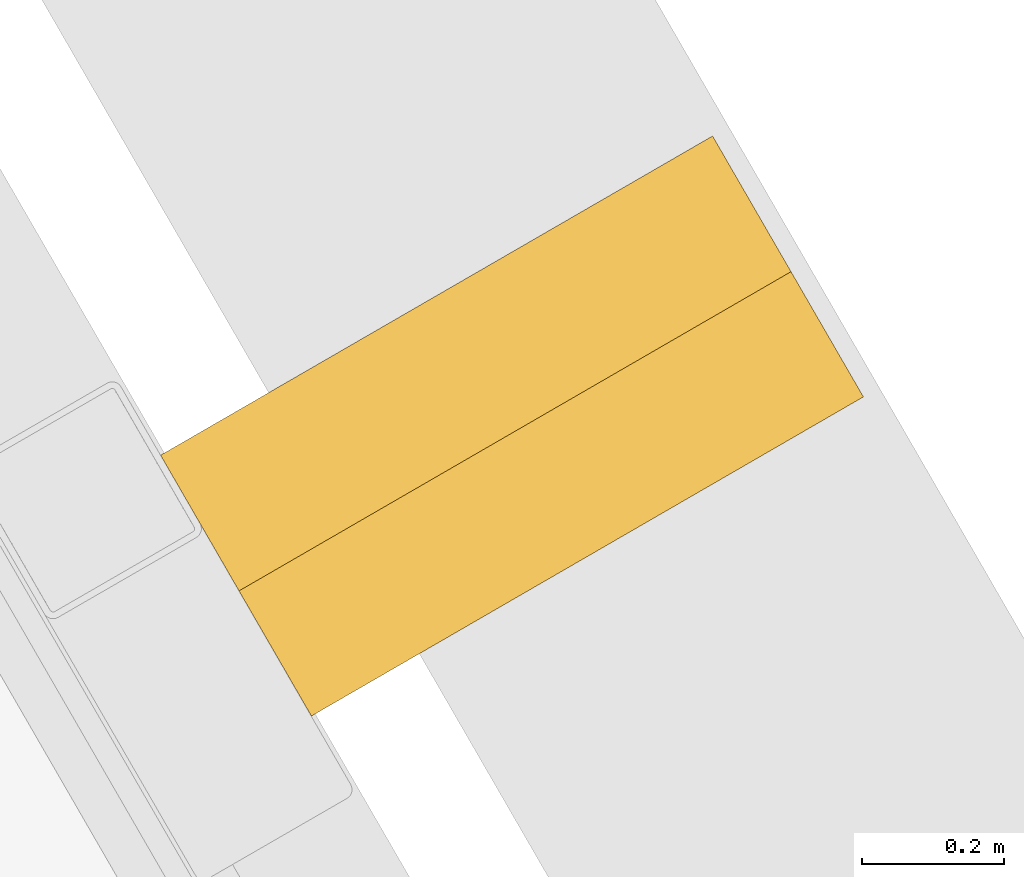
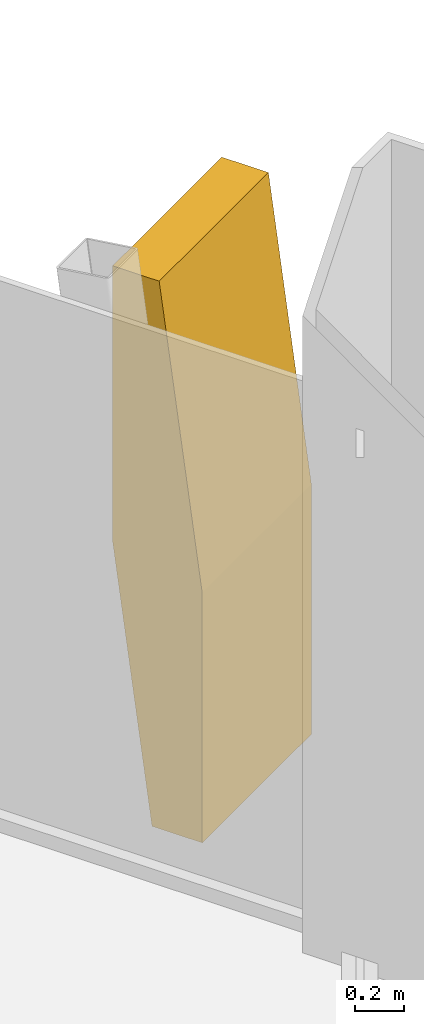
# One storey, part 12 of 12: 1 covering.
"""IFC4 building model written with IfcOpenShell, lengths in metres."""

from ifc_helpers import new_model, si_unit, direction, frame, origin, place, context, subcontext, project, spatial, polyline, outline, extrude, material, layer, layer_set, type_object, element, save


model = new_model("IFC4")

# Units and contexts
model_context = context("Model", 3, precision=1e-05, world=origin(), true_north=direction((0.0, 1.0)))
body_context = subcontext(model_context, "Body", "Model", "MODEL_VIEW")
ifc_project = project(units=[si_unit("LENGTHUNIT", "METRE"), si_unit("AREAUNIT", "SQUARE_METRE"), si_unit("VOLUMEUNIT", "CUBIC_METRE"), si_unit("PLANEANGLEUNIT", "RADIAN"), si_unit("MASSUNIT", "GRAM", prefix="KILO")], contexts=[model_context])

# Site, building, storey
site_placement = place(None, origin())
site = spatial("IfcSite", under=ifc_project, at=site_placement, CompositionType="ELEMENT")
building_placement = place(site_placement, origin())
building = spatial("IfcBuilding", under=site, at=building_placement, Name="Verrane Prism Tower", CompositionType="ELEMENT")
storey_placement = place(building_placement, frame((0.0, 0.0, 271.39990234375)))
storey = spatial("IfcBuildingStorey", under=building, at=storey_placement, Name="L68", CompositionType="ELEMENT", Elevation=271.39990234375)

# Covering
ifc_material = material(Name="Warm limestone cladding", Category="masonry")
ifc_layer = layer(ifc_material, 0.89990234375)
ifc_layer_set = layer_set([ifc_layer], Name="Stone brace fin 900")
covering_type = type_object("IfcCoveringType", Name="Stone brace fin 900", PredefinedType="CLADDING", material=ifc_layer_set)
covering_placement = place(storey_placement, frame((22.0927734375, 12.220458984375, 0.0), z_axis=(0.0, 0.0, 1.0), x_axis=(-0.500583620621, 0.865688187955, 0.0)))
element("IfcCovering", 1, at=covering_placement, inside=storey, type_object=covering_type, Name="Stone brace fin NE1 L68", PredefinedType="CLADDING", context=body_context, shape_type="SweptSolid", body=[
    extrude(outline(polyline([(0.42529296875, 2.75), (0.2041015625, 2.75), (0.0, 1.257568359375), (0.0, 0.0), (0.23828125, 0.0), (0.42529296875, 1.36572265625), (0.42529296875, 2.75)])), frame((0.0, 0.449951171875, 0.0), z_axis=(0.0, -1.0, 0.0), x_axis=(1.0, 0.0, 0.0)), (0.0, 0.0, 1.0), 0.89990234375),
])

save(model, "model.ifc")
